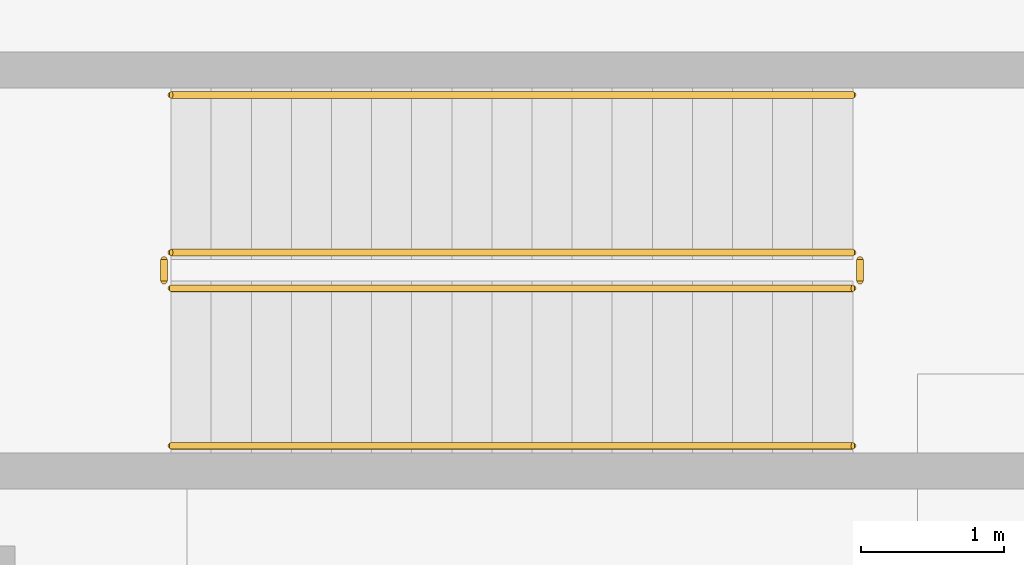
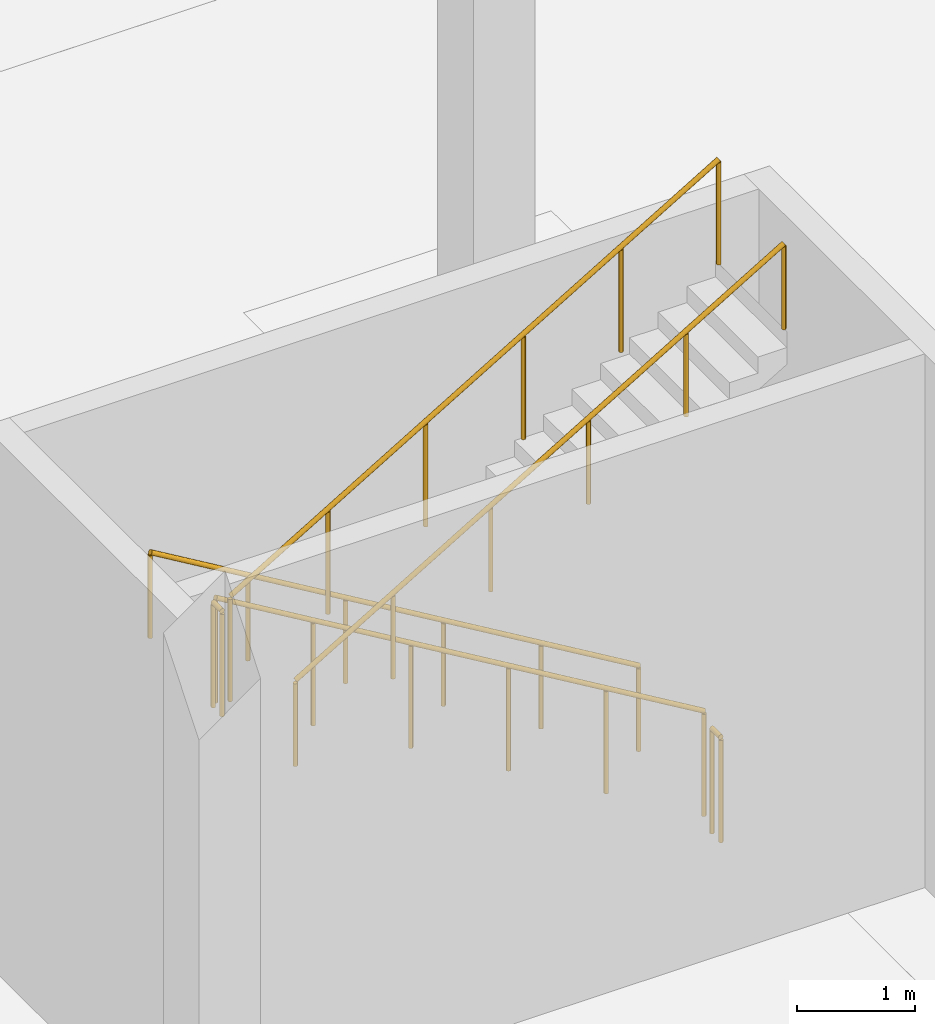
# One storey, part 37 of 39: 6 railings.
"""IFC4 building model written with IfcOpenShell, lengths in metres."""

from ifc_helpers import new_model, si_unit, direction, frame, origin, origin_2d, place, context, subcontext, project, spatial, circle, extrude, material, type_object, element, save


model = new_model("IFC4")

# Units and contexts
model_context = context("Model", 3, precision=1e-05, world=origin(), true_north=direction((0.0, 1.0)))
body_context = subcontext(model_context, "Body", "Model", "MODEL_VIEW")
ifc_project = project(units=[si_unit("LENGTHUNIT", "METRE"), si_unit("AREAUNIT", "SQUARE_METRE"), si_unit("VOLUMEUNIT", "CUBIC_METRE"), si_unit("PLANEANGLEUNIT", "RADIAN"), si_unit("MASSUNIT", "GRAM", prefix="KILO")], contexts=[model_context])

# Site, building, storey
site_placement = place(None, origin())
site = spatial("IfcSite", under=ifc_project, at=site_placement, CompositionType="ELEMENT")
building_placement = place(site_placement, origin())
building = spatial("IfcBuilding", under=site, at=building_placement, Name="Tamorin Gate", CompositionType="ELEMENT")
storey_placement = place(building_placement, frame((0.0, 0.0, -12.0)))
storey = spatial("IfcBuildingStorey", under=building, at=storey_placement, Name="B2", CompositionType="ELEMENT", Elevation=-12.0)

# Railings
ifc_material = material(Name="Steel, galvanised", Category="steel")
railing_type_1 = type_object("IfcRailingType", Name="Steel guard 1100", PredefinedType="GUARDRAIL", material=ifc_material)
railing_1_placement = place(storey_placement, frame((225.64990234375, 15.64990234375, 0.166748046875)))
element("IfcRailing", 1, at=railing_1_placement, inside=storey, type_object=railing_type_1, Name="B2 SB8 stair guard 1", PredefinedType="GUARDRAIL", context=body_context, shape_type="SweptSolid", body=[
    extrude(circle(Radius=0.02392578125, at=origin_2d()), frame((0.0, 0.0, 1.076171875), z_axis=(-0.859299802514, 0.0, 0.511472237174), x_axis=(0.0, -1.0, 0.0)), (0.0, 0.0, 1.0), 5.539306640625),
    extrude(circle(Radius=0.02099609375, at=origin_2d()), origin(), (0.0, 0.0, 1.0), 1.052001953125),
    extrude(circle(Radius=0.02099609375, at=origin_2d()), frame((-0.951904296875, 0.0, 0.566650390625)), (0.0, 0.0, 1.0), 1.052001953125),
    extrude(circle(Radius=0.02099609375, at=origin_2d()), frame((-1.904052734375, 0.0, 1.13330078125)), (0.0, 0.0, 1.0), 1.052001953125),
    extrude(circle(Radius=0.02099609375, at=origin_2d()), frame((-2.85595703125, 0.0, 1.699951171875)), (0.0, 0.0, 1.0), 1.052001953125),
    extrude(circle(Radius=0.02099609375, at=origin_2d()), frame((-3.80810546875, 0.0, 2.2666015625)), (0.0, 0.0, 1.0), 1.052001953125),
    extrude(circle(Radius=0.02099609375, at=origin_2d()), frame((-4.760009765625, 0.0, 2.833251953125)), (0.0, 0.0, 1.0), 1.052001953125),
])
railing_2_placement = place(storey_placement, frame((220.840087890625, 15.60009765625, 3.0)))
element("IfcRailing", 2, at=railing_2_placement, inside=storey, type_object=railing_type_1, Name="B2 SB8 stair guard 2", PredefinedType="GUARDRAIL", context=body_context, shape_type="SweptSolid", body=[
    extrude(circle(Radius=0.02392578125, at=origin_2d()), frame((0.0, 0.0, 1.076171875), z_axis=(0.0, -1.0, 0.0), x_axis=(1.0, 0.0, 0.0)), (0.0, 0.0, 1.0), 0.150146484375),
    extrude(circle(Radius=0.02099609375, at=origin_2d()), origin(), (0.0, 0.0, 1.0), 1.052001953125),
    extrude(circle(Radius=0.02099609375, at=origin_2d()), frame((0.0, -0.150146484375, 0.0)), (0.0, 0.0, 1.0), 1.052001953125),
])
railing_3_placement = place(storey_placement, frame((220.889892578125, 15.39990234375, 3.166748046875)))
element("IfcRailing", 3, at=railing_3_placement, inside=storey, type_object=railing_type_1, Name="B2 SB8 stair guard 3", PredefinedType="GUARDRAIL", context=body_context, shape_type="SweptSolid", body=[
    extrude(circle(Radius=0.02392578125, at=origin_2d()), frame((0.0, 0.0, 1.076171875), z_axis=(0.859299802514, 0.0, 0.511472237174), x_axis=(0.0, 1.0, 0.0)), (0.0, 0.0, 1.0), 5.539306640625),
    extrude(circle(Radius=0.02099609375, at=origin_2d()), origin(), (0.0, 0.0, 1.0), 1.052001953125),
    extrude(circle(Radius=0.02099609375, at=origin_2d()), frame((0.951904296875, 0.0, 0.566650390625)), (0.0, 0.0, 1.0), 1.052001953125),
    extrude(circle(Radius=0.02099609375, at=origin_2d()), frame((1.904052734375, 0.0, 1.13330078125)), (0.0, 0.0, 1.0), 1.052001953125),
    extrude(circle(Radius=0.02099609375, at=origin_2d()), frame((2.85595703125, 0.0, 1.699951171875)), (0.0, 0.0, 1.0), 1.052001953125),
    extrude(circle(Radius=0.02099609375, at=origin_2d()), frame((3.80810546875, 0.0, 2.2666015625)), (0.0, 0.0, 1.0), 1.052001953125),
    extrude(circle(Radius=0.02099609375, at=origin_2d()), frame((4.760009765625, 0.0, 2.833251953125)), (0.0, 0.0, 1.0), 1.052001953125),
])
railing_4_placement = place(storey_placement, frame((225.699951171875, 15.60009765625, 0.0)))
element("IfcRailing", 4, at=railing_4_placement, inside=storey, type_object=railing_type_1, Name="B2 SB8 stair guard 4", PredefinedType="GUARDRAIL", context=body_context, shape_type="SweptSolid", body=[
    extrude(circle(Radius=0.02392578125, at=origin_2d()), frame((0.0, 0.0, 1.076171875), z_axis=(0.0, -1.0, 0.0), x_axis=(1.0, 0.0, 0.0)), (0.0, 0.0, 1.0), 0.150146484375),
    extrude(circle(Radius=0.02099609375, at=origin_2d()), origin(), (0.0, 0.0, 1.0), 1.052001953125),
    extrude(circle(Radius=0.02099609375, at=origin_2d()), frame((0.0, -0.150146484375, 0.0)), (0.0, 0.0, 1.0), 1.052001953125),
])
railing_type_2 = type_object("IfcRailingType", Name="Steel handrail 900", PredefinedType="HANDRAIL", material=ifc_material)
railing_5_placement = place(storey_placement, frame((225.64990234375, 16.75, 0.166748046875)))
element("IfcRailing", 5, at=railing_5_placement, inside=storey, type_object=railing_type_2, Name="B2 SB8 stair handrail 1", PredefinedType="HANDRAIL", context=body_context, shape_type="SweptSolid", body=[
    extrude(circle(Radius=0.02392578125, at=origin_2d()), frame((0.0, 0.0, 0.8759765625), z_axis=(-0.859299802514, 0.0, 0.511472237174), x_axis=(0.0, -1.0, 0.0)), (0.0, 0.0, 1.0), 5.539306640625),
    extrude(circle(Radius=0.02099609375, at=origin_2d()), origin(), (0.0, 0.0, 1.0), 0.851806640625),
    extrude(circle(Radius=0.02099609375, at=origin_2d()), frame((-0.951904296875, 0.0, 0.566650390625)), (0.0, 0.0, 1.0), 0.851806640625),
    extrude(circle(Radius=0.02099609375, at=origin_2d()), frame((-1.904052734375, 0.0, 1.13330078125)), (0.0, 0.0, 1.0), 0.851806640625),
    extrude(circle(Radius=0.02099609375, at=origin_2d()), frame((-2.85595703125, 0.0, 1.699951171875)), (0.0, 0.0, 1.0), 0.851806640625),
    extrude(circle(Radius=0.02099609375, at=origin_2d()), frame((-3.80810546875, 0.0, 2.2666015625)), (0.0, 0.0, 1.0), 0.851806640625),
    extrude(circle(Radius=0.02099609375, at=origin_2d()), frame((-4.760009765625, 0.0, 2.833251953125)), (0.0, 0.0, 1.0), 0.851806640625),
])
railing_6_placement = place(storey_placement, frame((220.889892578125, 14.300048828125, 3.166748046875)))
element("IfcRailing", 6, at=railing_6_placement, inside=storey, type_object=railing_type_2, Name="B2 SB8 stair handrail 2", PredefinedType="HANDRAIL", context=body_context, shape_type="SweptSolid", body=[
    extrude(circle(Radius=0.02392578125, at=origin_2d()), frame((0.0, 0.0, 0.8759765625), z_axis=(0.859299802514, 0.0, 0.511472237174), x_axis=(0.0, 1.0, 0.0)), (0.0, 0.0, 1.0), 5.539306640625),
    extrude(circle(Radius=0.02099609375, at=origin_2d()), origin(), (0.0, 0.0, 1.0), 0.851806640625),
    extrude(circle(Radius=0.02099609375, at=origin_2d()), frame((0.951904296875, 0.0, 0.566650390625)), (0.0, 0.0, 1.0), 0.851806640625),
    extrude(circle(Radius=0.02099609375, at=origin_2d()), frame((1.904052734375, 0.0, 1.13330078125)), (0.0, 0.0, 1.0), 0.851806640625),
    extrude(circle(Radius=0.02099609375, at=origin_2d()), frame((2.85595703125, 0.0, 1.699951171875)), (0.0, 0.0, 1.0), 0.851806640625),
    extrude(circle(Radius=0.02099609375, at=origin_2d()), frame((3.80810546875, 0.0, 2.2666015625)), (0.0, 0.0, 1.0), 0.851806640625),
    extrude(circle(Radius=0.02099609375, at=origin_2d()), frame((4.760009765625, 0.0, 2.833251953125)), (0.0, 0.0, 1.0), 0.851806640625),
])

save(model, "model.ifc")
